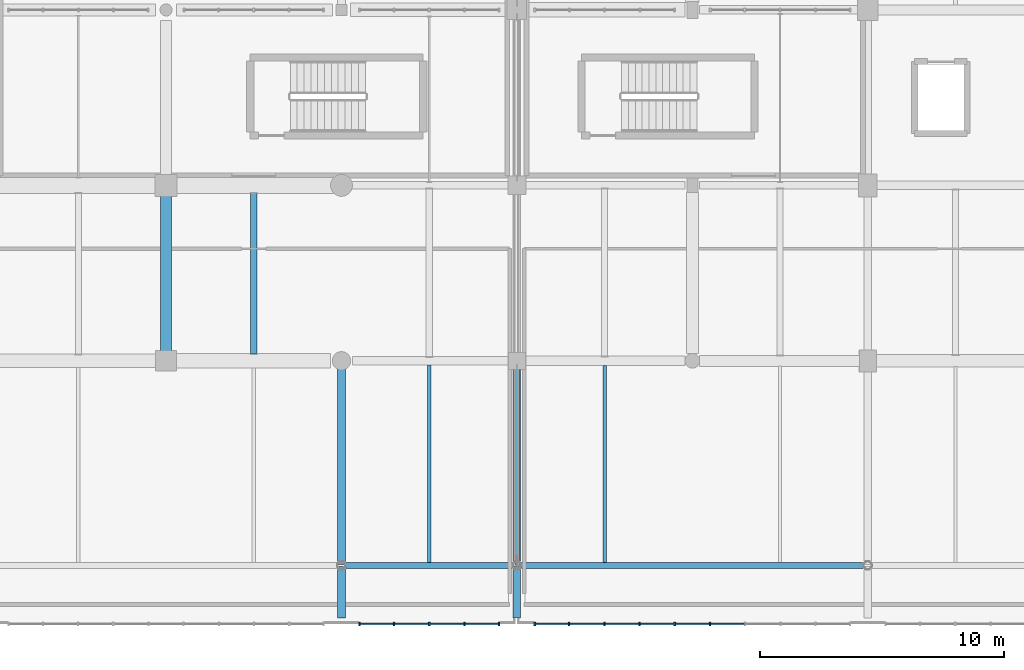
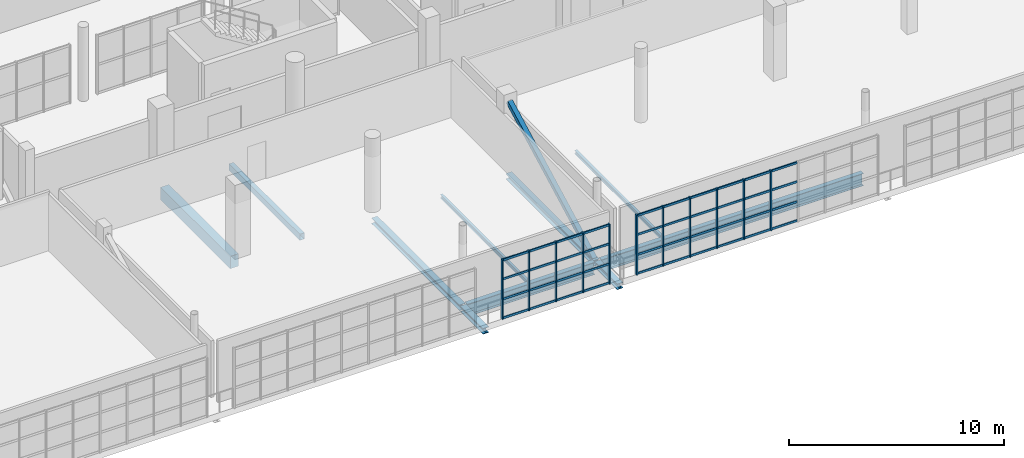
# One storey, part 29 of 90: 52 members, 10 beams, 2 elements without a shape of their own.
"""IFC4 building model written with IfcOpenShell, lengths in metres."""

from ifc_helpers import new_model, si_unit, direction, frame, origin, origin_2d, place, context, subcontext, project, spatial, rectangle, hollow_rectangle, i_section, extrude, material, material_profile, profile_set, type_object, element, aggregate, save


model = new_model("IFC4")

# Units and contexts
model_context = context("Model", 3, precision=1e-05, world=origin(), true_north=direction((0.0, 1.0)))
body_context = subcontext(model_context, "Body", "Model", "MODEL_VIEW")
ifc_project = project(units=[si_unit("LENGTHUNIT", "METRE"), si_unit("AREAUNIT", "SQUARE_METRE"), si_unit("VOLUMEUNIT", "CUBIC_METRE"), si_unit("PLANEANGLEUNIT", "RADIAN"), si_unit("MASSUNIT", "GRAM", prefix="KILO")], contexts=[model_context])

# Site, building, storey
site_placement = place(None, origin())
site = spatial("IfcSite", under=ifc_project, at=site_placement, CompositionType="ELEMENT")
building_placement = place(site_placement, origin())
building = spatial("IfcBuilding", under=site, at=building_placement, Name="Solanera Park Tramway Depot", CompositionType="ELEMENT")
storey_placement = place(building_placement, frame((0.0, 0.0, 9.0)))
storey = spatial("IfcBuildingStorey", under=building, at=storey_placement, Name="L02", CompositionType="ELEMENT", Elevation=9.0)

# Curtain wall, members
ifc_material_1 = material(Name="Bronze-anodised thermally broken aluminium curtain wall", Category="aluminium")
curtain_wall_type = type_object("IfcCurtainWallType", Name="Cantilevered OCC Inclined Glazing Wall", PredefinedType="NOTDEFINED", material=ifc_material_1)
curtain_wall_1_placement = place(storey_placement, origin())
curtain_wall_1 = element("IfcCurtainWall", 1, at=curtain_wall_1_placement, inside=storey, type_object=curtain_wall_type, Name="L02 Cantilevered OCC Inclined Glazing Wall #117", PredefinedType="NOTDEFINED")
ifc_material_2 = material(Name="Bronze-anodised structural aluminium 6063-T6", Category="aluminium")
ifc_material_profile_1 = material_profile(ifc_material_2, rectangle(XDim=0.06494140625, YDim=0.14990234375, at=origin_2d()), Name="Curtain Wall Mullion 65x150")
ifc_profile_set_1 = profile_set([ifc_material_profile_1], Name="Bronze-anodised structural aluminium 6063-T6")
member_type_1 = type_object("IfcMemberType", Name="Curtain Wall Mullion 65x150", PredefinedType="MULLION", material=ifc_profile_set_1)
member_1_placement = place(storey_placement, frame((144.732421875, 0.0, 0.0), z_axis=(0.0, 0.0, 1.0), x_axis=(1.0, 0.0, 0.0)))
member_1 = element("IfcMember", 2, at=member_1_placement, type_object=member_type_1, Name="CW-L02-117 Mullion 1", PredefinedType="MULLION", context=body_context, shape_type="SweptSolid", body=[
    extrude(rectangle(XDim=0.06494140625, YDim=0.14990234375, at=origin_2d()), origin(), (0.0, 0.0, 1.0), 3.39990234375),
])
member_2_placement = place(storey_placement, frame((146.14990234375, 0.0, 0.0), z_axis=(0.0, 0.0, 1.0), x_axis=(1.0, 0.0, 0.0)))
member_2 = element("IfcMember", 3, at=member_2_placement, type_object=member_type_1, Name="CW-L02-117 Mullion 2", PredefinedType="MULLION", context=body_context, shape_type="SweptSolid", body=[
    extrude(rectangle(XDim=0.06494140625, YDim=0.14990234375, at=origin_2d()), origin(), (0.0, 0.0, 1.0), 3.39990234375),
])
member_3_placement = place(storey_placement, frame((147.60009765625, 0.0, 0.0), z_axis=(0.0, 0.0, 1.0), x_axis=(1.0, 0.0, 0.0)))
member_3 = element("IfcMember", 4, at=member_3_placement, type_object=member_type_1, Name="CW-L02-117 Mullion 3", PredefinedType="MULLION", context=body_context, shape_type="SweptSolid", body=[
    extrude(rectangle(XDim=0.06494140625, YDim=0.14990234375, at=origin_2d()), origin(), (0.0, 0.0, 1.0), 3.39990234375),
])
member_4_placement = place(storey_placement, frame((149.050048828125, 0.0, 0.0), z_axis=(0.0, 0.0, 1.0), x_axis=(1.0, 0.0, 0.0)))
member_4 = element("IfcMember", 5, at=member_4_placement, type_object=member_type_1, Name="CW-L02-117 Mullion 4", PredefinedType="MULLION", context=body_context, shape_type="SweptSolid", body=[
    extrude(rectangle(XDim=0.06494140625, YDim=0.14990234375, at=origin_2d()), origin(), (0.0, 0.0, 1.0), 3.39990234375),
])
member_5_placement = place(storey_placement, frame((150.467529296875, 0.0, 0.0), z_axis=(0.0, 0.0, 1.0), x_axis=(1.0, 0.0, 0.0)))
member_5 = element("IfcMember", 6, at=member_5_placement, type_object=member_type_1, Name="CW-L02-117 Mullion 5", PredefinedType="MULLION", context=body_context, shape_type="SweptSolid", body=[
    extrude(rectangle(XDim=0.06494140625, YDim=0.14990234375, at=origin_2d()), origin(), (0.0, 0.0, 1.0), 3.39990234375),
])

curtain_wall_2_placement = place(storey_placement, origin())
curtain_wall_2 = element("IfcCurtainWall", 7, at=curtain_wall_2_placement, inside=storey, type_object=curtain_wall_type, Name="L02 Cantilevered OCC Inclined Glazing Wall #118", PredefinedType="NOTDEFINED")
member_6_placement = place(storey_placement, frame((151.9326171875, 0.0, 0.0), z_axis=(0.0, 0.0, 1.0), x_axis=(1.0, 0.0, 0.0)))
member_6 = element("IfcMember", 8, at=member_6_placement, type_object=member_type_1, Name="CW-L02-118 Mullion 1", PredefinedType="MULLION", context=body_context, shape_type="SweptSolid", body=[
    extrude(rectangle(XDim=0.06494140625, YDim=0.14990234375, at=origin_2d()), origin(), (0.0, 0.0, 1.0), 3.39990234375),
])
member_7_placement = place(storey_placement, frame((153.344482421875, 0.0, 0.0), z_axis=(0.0, 0.0, 1.0), x_axis=(1.0, 0.0, 0.0)))
member_7 = element("IfcMember", 9, at=member_7_placement, type_object=member_type_1, Name="CW-L02-118 Mullion 2", PredefinedType="MULLION", context=body_context, shape_type="SweptSolid", body=[
    extrude(rectangle(XDim=0.06494140625, YDim=0.14990234375, at=origin_2d()), origin(), (0.0, 0.0, 1.0), 3.39990234375),
])
member_8_placement = place(storey_placement, frame((154.788818359375, 0.0, 0.0), z_axis=(0.0, 0.0, 1.0), x_axis=(1.0, 0.0, 0.0)))
member_8 = element("IfcMember", 10, at=member_8_placement, type_object=member_type_1, Name="CW-L02-118 Mullion 3", PredefinedType="MULLION", context=body_context, shape_type="SweptSolid", body=[
    extrude(rectangle(XDim=0.06494140625, YDim=0.14990234375, at=origin_2d()), origin(), (0.0, 0.0, 1.0), 3.39990234375),
])
member_9_placement = place(storey_placement, frame((156.2333984375, 0.0, 0.0), z_axis=(0.0, 0.0, 1.0), x_axis=(1.0, 0.0, 0.0)))
member_9 = element("IfcMember", 11, at=member_9_placement, type_object=member_type_1, Name="CW-L02-118 Mullion 4", PredefinedType="MULLION", context=body_context, shape_type="SweptSolid", body=[
    extrude(rectangle(XDim=0.06494140625, YDim=0.14990234375, at=origin_2d()), origin(), (0.0, 0.0, 1.0), 3.39990234375),
])
member_10_placement = place(storey_placement, frame((157.677734375, 0.0, 0.0), z_axis=(0.0, 0.0, 1.0), x_axis=(1.0, 0.0, 0.0)))
member_10 = element("IfcMember", 12, at=member_10_placement, type_object=member_type_1, Name="CW-L02-118 Mullion 5", PredefinedType="MULLION", context=body_context, shape_type="SweptSolid", body=[
    extrude(rectangle(XDim=0.06494140625, YDim=0.14990234375, at=origin_2d()), origin(), (0.0, 0.0, 1.0), 3.39990234375),
])
member_11_placement = place(storey_placement, frame((159.122314453125, 0.0, 0.0), z_axis=(0.0, 0.0, 1.0), x_axis=(1.0, 0.0, 0.0)))
member_11 = element("IfcMember", 13, at=member_11_placement, type_object=member_type_1, Name="CW-L02-118 Mullion 6", PredefinedType="MULLION", context=body_context, shape_type="SweptSolid", body=[
    extrude(rectangle(XDim=0.06494140625, YDim=0.14990234375, at=origin_2d()), origin(), (0.0, 0.0, 1.0), 3.39990234375),
])

# Member
ifc_material_3 = material(Name="Bronze-anodised structural aluminium 6063-T6", Category="aluminium")
ifc_material_profile_2 = material_profile(ifc_material_3, rectangle(XDim=0.06494140625, YDim=0.1201171875, at=origin_2d()), Name="Curtain Wall Transom 65x120")
ifc_profile_set_2 = profile_set([ifc_material_profile_2], Name="Bronze-anodised structural aluminium 6063-T6")
member_type_2 = type_object("IfcMemberType", Name="Curtain Wall Transom 65x120", PredefinedType="USERDEFINED", material=ifc_profile_set_2)
member_12_placement = place(storey_placement, frame((144.760498046875, 0.0, 0.06005859375), z_axis=(1.0, 0.0, 0.0), x_axis=(0.0, 1.0, 0.0)))
member_12 = element("IfcMember", 14, at=member_12_placement, type_object=member_type_2, Name="CW-L02-117 Transom R1.C1", ObjectType="TRANSOM", PredefinedType="USERDEFINED", context=body_context, shape_type="SweptSolid", body=[
    extrude(rectangle(XDim=0.06494140625, YDim=0.1201171875, at=origin_2d()), origin(), (0.0, 0.0, 1.0), 1.361572265625),
])

member_13_placement = place(storey_placement, frame((146.177978515625, 0.0, 0.06005859375), z_axis=(1.0, 0.0, 0.0), x_axis=(0.0, 1.0, 0.0)))
member_13 = element("IfcMember", 15, at=member_13_placement, type_object=member_type_2, Name="CW-L02-117 Transom R1.C2", ObjectType="TRANSOM", PredefinedType="USERDEFINED", context=body_context, shape_type="SweptSolid", body=[
    extrude(rectangle(XDim=0.06494140625, YDim=0.1201171875, at=origin_2d()), origin(), (0.0, 0.0, 1.0), 1.39404296875),
])

member_14_placement = place(storey_placement, frame((147.6279296875, 0.0, 0.06005859375), z_axis=(1.0, 0.0, 0.0), x_axis=(0.0, 1.0, 0.0)))
member_14 = element("IfcMember", 16, at=member_14_placement, type_object=member_type_2, Name="CW-L02-117 Transom R1.C3", ObjectType="TRANSOM", PredefinedType="USERDEFINED", context=body_context, shape_type="SweptSolid", body=[
    extrude(rectangle(XDim=0.06494140625, YDim=0.1201171875, at=origin_2d()), origin(), (0.0, 0.0, 1.0), 1.39404296875),
])

member_15_placement = place(storey_placement, frame((149.077880859375, 0.0, 0.06005859375), z_axis=(1.0, 0.0, 0.0), x_axis=(0.0, 1.0, 0.0)))
member_15 = element("IfcMember", 17, at=member_15_placement, type_object=member_type_2, Name="CW-L02-117 Transom R1.C4", ObjectType="TRANSOM", PredefinedType="USERDEFINED", context=body_context, shape_type="SweptSolid", body=[
    extrude(rectangle(XDim=0.06494140625, YDim=0.1201171875, at=origin_2d()), origin(), (0.0, 0.0, 1.0), 1.361572265625),
])

member_16_placement = place(storey_placement, frame((144.760498046875, 0.0, 1.13330078125), z_axis=(1.0, 0.0, 0.0), x_axis=(0.0, 1.0, 0.0)))
member_16 = element("IfcMember", 18, at=member_16_placement, type_object=member_type_2, Name="CW-L02-117 Transom R2.C1", ObjectType="TRANSOM", PredefinedType="USERDEFINED", context=body_context, shape_type="SweptSolid", body=[
    extrude(rectangle(XDim=0.06494140625, YDim=0.1201171875, at=origin_2d()), origin(), (0.0, 0.0, 1.0), 1.361572265625),
])

member_17_placement = place(storey_placement, frame((146.177978515625, 0.0, 1.13330078125), z_axis=(1.0, 0.0, 0.0), x_axis=(0.0, 1.0, 0.0)))
member_17 = element("IfcMember", 19, at=member_17_placement, type_object=member_type_2, Name="CW-L02-117 Transom R2.C2", ObjectType="TRANSOM", PredefinedType="USERDEFINED", context=body_context, shape_type="SweptSolid", body=[
    extrude(rectangle(XDim=0.06494140625, YDim=0.1201171875, at=origin_2d()), origin(), (0.0, 0.0, 1.0), 1.39404296875),
])

member_18_placement = place(storey_placement, frame((147.6279296875, 0.0, 1.13330078125), z_axis=(1.0, 0.0, 0.0), x_axis=(0.0, 1.0, 0.0)))
member_18 = element("IfcMember", 20, at=member_18_placement, type_object=member_type_2, Name="CW-L02-117 Transom R2.C3", ObjectType="TRANSOM", PredefinedType="USERDEFINED", context=body_context, shape_type="SweptSolid", body=[
    extrude(rectangle(XDim=0.06494140625, YDim=0.1201171875, at=origin_2d()), origin(), (0.0, 0.0, 1.0), 1.39404296875),
])

member_19_placement = place(storey_placement, frame((149.077880859375, 0.0, 1.13330078125), z_axis=(1.0, 0.0, 0.0), x_axis=(0.0, 1.0, 0.0)))
member_19 = element("IfcMember", 21, at=member_19_placement, type_object=member_type_2, Name="CW-L02-117 Transom R2.C4", ObjectType="TRANSOM", PredefinedType="USERDEFINED", context=body_context, shape_type="SweptSolid", body=[
    extrude(rectangle(XDim=0.06494140625, YDim=0.1201171875, at=origin_2d()), origin(), (0.0, 0.0, 1.0), 1.361572265625),
])

member_20_placement = place(storey_placement, frame((144.760498046875, 0.0, 2.2666015625), z_axis=(1.0, 0.0, 0.0), x_axis=(0.0, 1.0, 0.0)))
member_20 = element("IfcMember", 22, at=member_20_placement, type_object=member_type_2, Name="CW-L02-117 Transom R3.C1", ObjectType="TRANSOM", PredefinedType="USERDEFINED", context=body_context, shape_type="SweptSolid", body=[
    extrude(rectangle(XDim=0.06494140625, YDim=0.1201171875, at=origin_2d()), origin(), (0.0, 0.0, 1.0), 1.361572265625),
])

member_21_placement = place(storey_placement, frame((146.177978515625, 0.0, 2.2666015625), z_axis=(1.0, 0.0, 0.0), x_axis=(0.0, 1.0, 0.0)))
member_21 = element("IfcMember", 23, at=member_21_placement, type_object=member_type_2, Name="CW-L02-117 Transom R3.C2", ObjectType="TRANSOM", PredefinedType="USERDEFINED", context=body_context, shape_type="SweptSolid", body=[
    extrude(rectangle(XDim=0.06494140625, YDim=0.1201171875, at=origin_2d()), origin(), (0.0, 0.0, 1.0), 1.39404296875),
])

member_22_placement = place(storey_placement, frame((147.6279296875, 0.0, 2.2666015625), z_axis=(1.0, 0.0, 0.0), x_axis=(0.0, 1.0, 0.0)))
member_22 = element("IfcMember", 24, at=member_22_placement, type_object=member_type_2, Name="CW-L02-117 Transom R3.C3", ObjectType="TRANSOM", PredefinedType="USERDEFINED", context=body_context, shape_type="SweptSolid", body=[
    extrude(rectangle(XDim=0.06494140625, YDim=0.1201171875, at=origin_2d()), origin(), (0.0, 0.0, 1.0), 1.39404296875),
])

member_23_placement = place(storey_placement, frame((149.077880859375, 0.0, 2.2666015625), z_axis=(1.0, 0.0, 0.0), x_axis=(0.0, 1.0, 0.0)))
member_23 = element("IfcMember", 25, at=member_23_placement, type_object=member_type_2, Name="CW-L02-117 Transom R3.C4", ObjectType="TRANSOM", PredefinedType="USERDEFINED", context=body_context, shape_type="SweptSolid", body=[
    extrude(rectangle(XDim=0.06494140625, YDim=0.1201171875, at=origin_2d()), origin(), (0.0, 0.0, 1.0), 1.361572265625),
])

member_24_placement = place(storey_placement, frame((144.760498046875, 0.0, 3.340087890625), z_axis=(1.0, 0.0, 0.0), x_axis=(0.0, 1.0, 0.0)))
member_24 = element("IfcMember", 26, at=member_24_placement, type_object=member_type_2, Name="CW-L02-117 Transom R4.C1", ObjectType="TRANSOM", PredefinedType="USERDEFINED", context=body_context, shape_type="SweptSolid", body=[
    extrude(rectangle(XDim=0.06494140625, YDim=0.1201171875, at=origin_2d()), origin(), (0.0, 0.0, 1.0), 1.361572265625),
])

member_25_placement = place(storey_placement, frame((146.177978515625, 0.0, 3.340087890625), z_axis=(1.0, 0.0, 0.0), x_axis=(0.0, 1.0, 0.0)))
member_25 = element("IfcMember", 27, at=member_25_placement, type_object=member_type_2, Name="CW-L02-117 Transom R4.C2", ObjectType="TRANSOM", PredefinedType="USERDEFINED", context=body_context, shape_type="SweptSolid", body=[
    extrude(rectangle(XDim=0.06494140625, YDim=0.1201171875, at=origin_2d()), origin(), (0.0, 0.0, 1.0), 1.39404296875),
])

member_26_placement = place(storey_placement, frame((147.6279296875, 0.0, 3.340087890625), z_axis=(1.0, 0.0, 0.0), x_axis=(0.0, 1.0, 0.0)))
member_26 = element("IfcMember", 28, at=member_26_placement, type_object=member_type_2, Name="CW-L02-117 Transom R4.C3", ObjectType="TRANSOM", PredefinedType="USERDEFINED", context=body_context, shape_type="SweptSolid", body=[
    extrude(rectangle(XDim=0.06494140625, YDim=0.1201171875, at=origin_2d()), origin(), (0.0, 0.0, 1.0), 1.39404296875),
])

member_27_placement = place(storey_placement, frame((149.077880859375, 0.0, 3.340087890625), z_axis=(1.0, 0.0, 0.0), x_axis=(0.0, 1.0, 0.0)))
member_27 = element("IfcMember", 29, at=member_27_placement, type_object=member_type_2, Name="CW-L02-117 Transom R4.C4", ObjectType="TRANSOM", PredefinedType="USERDEFINED", context=body_context, shape_type="SweptSolid", body=[
    extrude(rectangle(XDim=0.06494140625, YDim=0.1201171875, at=origin_2d()), origin(), (0.0, 0.0, 1.0), 1.361572265625),
])

aggregate(curtain_wall_1, [member_1, member_2, member_3, member_4, member_5, member_12, member_13, member_14, member_15, member_16, member_17, member_18, member_19, member_20, member_21, member_22, member_23, member_24, member_25, member_26, member_27])

member_28_placement = place(storey_placement, frame((151.96044921875, 0.0, 0.06005859375), z_axis=(1.0, 0.0, 0.0), x_axis=(0.0, 1.0, 0.0)))
member_28 = element("IfcMember", 30, at=member_28_placement, type_object=member_type_2, Name="CW-L02-118 Transom R1.C1", ObjectType="TRANSOM", PredefinedType="USERDEFINED", context=body_context, shape_type="SweptSolid", body=[
    extrude(rectangle(XDim=0.06494140625, YDim=0.1201171875, at=origin_2d()), origin(), (0.0, 0.0, 1.0), 1.35595703125),
])

member_29_placement = place(storey_placement, frame((153.372314453125, 0.0, 0.06005859375), z_axis=(1.0, 0.0, 0.0), x_axis=(0.0, 1.0, 0.0)))
member_29 = element("IfcMember", 31, at=member_29_placement, type_object=member_type_2, Name="CW-L02-118 Transom R1.C2", ObjectType="TRANSOM", PredefinedType="USERDEFINED", context=body_context, shape_type="SweptSolid", body=[
    extrude(rectangle(XDim=0.06494140625, YDim=0.1201171875, at=origin_2d()), origin(), (0.0, 0.0, 1.0), 1.388671875),
])

member_30_placement = place(storey_placement, frame((154.81689453125, 0.0, 0.06005859375), z_axis=(1.0, 0.0, 0.0), x_axis=(0.0, 1.0, 0.0)))
member_30 = element("IfcMember", 32, at=member_30_placement, type_object=member_type_2, Name="CW-L02-118 Transom R1.C3", ObjectType="TRANSOM", PredefinedType="USERDEFINED", context=body_context, shape_type="SweptSolid", body=[
    extrude(rectangle(XDim=0.06494140625, YDim=0.1201171875, at=origin_2d()), origin(), (0.0, 0.0, 1.0), 1.388427734375),
])

member_31_placement = place(storey_placement, frame((156.26123046875, 0.0, 0.06005859375), z_axis=(1.0, 0.0, 0.0), x_axis=(0.0, 1.0, 0.0)))
member_31 = element("IfcMember", 33, at=member_31_placement, type_object=member_type_2, Name="CW-L02-118 Transom R1.C4", ObjectType="TRANSOM", PredefinedType="USERDEFINED", context=body_context, shape_type="SweptSolid", body=[
    extrude(rectangle(XDim=0.06494140625, YDim=0.1201171875, at=origin_2d()), origin(), (0.0, 0.0, 1.0), 1.388671875),
])

member_32_placement = place(storey_placement, frame((157.705810546875, 0.0, 0.06005859375), z_axis=(1.0, 0.0, 0.0), x_axis=(0.0, 1.0, 0.0)))
member_32 = element("IfcMember", 34, at=member_32_placement, type_object=member_type_2, Name="CW-L02-118 Transom R1.C5", ObjectType="TRANSOM", PredefinedType="USERDEFINED", context=body_context, shape_type="SweptSolid", body=[
    extrude(rectangle(XDim=0.06494140625, YDim=0.1201171875, at=origin_2d()), origin(), (0.0, 0.0, 1.0), 1.388427734375),
])

member_33_placement = place(storey_placement, frame((159.150146484375, 0.0, 0.06005859375), z_axis=(1.0, 0.0, 0.0), x_axis=(0.0, 1.0, 0.0)))
member_33 = element("IfcMember", 35, at=member_33_placement, type_object=member_type_2, Name="CW-L02-118 Transom R1.C6", ObjectType="TRANSOM", PredefinedType="USERDEFINED", context=body_context, shape_type="SweptSolid", body=[
    extrude(rectangle(XDim=0.06494140625, YDim=0.1201171875, at=origin_2d()), origin(), (0.0, 0.0, 1.0), 1.388671875),
])

member_34_placement = place(storey_placement, frame((151.96044921875, 0.0, 1.13330078125), z_axis=(1.0, 0.0, 0.0), x_axis=(0.0, 1.0, 0.0)))
member_34 = element("IfcMember", 36, at=member_34_placement, type_object=member_type_2, Name="CW-L02-118 Transom R2.C1", ObjectType="TRANSOM", PredefinedType="USERDEFINED", context=body_context, shape_type="SweptSolid", body=[
    extrude(rectangle(XDim=0.06494140625, YDim=0.1201171875, at=origin_2d()), origin(), (0.0, 0.0, 1.0), 1.35595703125),
])

member_35_placement = place(storey_placement, frame((153.372314453125, 0.0, 1.13330078125), z_axis=(1.0, 0.0, 0.0), x_axis=(0.0, 1.0, 0.0)))
member_35 = element("IfcMember", 37, at=member_35_placement, type_object=member_type_2, Name="CW-L02-118 Transom R2.C2", ObjectType="TRANSOM", PredefinedType="USERDEFINED", context=body_context, shape_type="SweptSolid", body=[
    extrude(rectangle(XDim=0.06494140625, YDim=0.1201171875, at=origin_2d()), origin(), (0.0, 0.0, 1.0), 1.388671875),
])

member_36_placement = place(storey_placement, frame((154.81689453125, 0.0, 1.13330078125), z_axis=(1.0, 0.0, 0.0), x_axis=(0.0, 1.0, 0.0)))
member_36 = element("IfcMember", 38, at=member_36_placement, type_object=member_type_2, Name="CW-L02-118 Transom R2.C3", ObjectType="TRANSOM", PredefinedType="USERDEFINED", context=body_context, shape_type="SweptSolid", body=[
    extrude(rectangle(XDim=0.06494140625, YDim=0.1201171875, at=origin_2d()), origin(), (0.0, 0.0, 1.0), 1.388427734375),
])

member_37_placement = place(storey_placement, frame((156.26123046875, 0.0, 1.13330078125), z_axis=(1.0, 0.0, 0.0), x_axis=(0.0, 1.0, 0.0)))
member_37 = element("IfcMember", 39, at=member_37_placement, type_object=member_type_2, Name="CW-L02-118 Transom R2.C4", ObjectType="TRANSOM", PredefinedType="USERDEFINED", context=body_context, shape_type="SweptSolid", body=[
    extrude(rectangle(XDim=0.06494140625, YDim=0.1201171875, at=origin_2d()), origin(), (0.0, 0.0, 1.0), 1.388671875),
])

member_38_placement = place(storey_placement, frame((157.705810546875, 0.0, 1.13330078125), z_axis=(1.0, 0.0, 0.0), x_axis=(0.0, 1.0, 0.0)))
member_38 = element("IfcMember", 40, at=member_38_placement, type_object=member_type_2, Name="CW-L02-118 Transom R2.C5", ObjectType="TRANSOM", PredefinedType="USERDEFINED", context=body_context, shape_type="SweptSolid", body=[
    extrude(rectangle(XDim=0.06494140625, YDim=0.1201171875, at=origin_2d()), origin(), (0.0, 0.0, 1.0), 1.388427734375),
])

member_39_placement = place(storey_placement, frame((159.150146484375, 0.0, 1.13330078125), z_axis=(1.0, 0.0, 0.0), x_axis=(0.0, 1.0, 0.0)))
member_39 = element("IfcMember", 41, at=member_39_placement, type_object=member_type_2, Name="CW-L02-118 Transom R2.C6", ObjectType="TRANSOM", PredefinedType="USERDEFINED", context=body_context, shape_type="SweptSolid", body=[
    extrude(rectangle(XDim=0.06494140625, YDim=0.1201171875, at=origin_2d()), origin(), (0.0, 0.0, 1.0), 1.388671875),
])

member_40_placement = place(storey_placement, frame((151.96044921875, 0.0, 2.2666015625), z_axis=(1.0, 0.0, 0.0), x_axis=(0.0, 1.0, 0.0)))
member_40 = element("IfcMember", 42, at=member_40_placement, type_object=member_type_2, Name="CW-L02-118 Transom R3.C1", ObjectType="TRANSOM", PredefinedType="USERDEFINED", context=body_context, shape_type="SweptSolid", body=[
    extrude(rectangle(XDim=0.06494140625, YDim=0.1201171875, at=origin_2d()), origin(), (0.0, 0.0, 1.0), 1.35595703125),
])

member_41_placement = place(storey_placement, frame((153.372314453125, 0.0, 2.2666015625), z_axis=(1.0, 0.0, 0.0), x_axis=(0.0, 1.0, 0.0)))
member_41 = element("IfcMember", 43, at=member_41_placement, type_object=member_type_2, Name="CW-L02-118 Transom R3.C2", ObjectType="TRANSOM", PredefinedType="USERDEFINED", context=body_context, shape_type="SweptSolid", body=[
    extrude(rectangle(XDim=0.06494140625, YDim=0.1201171875, at=origin_2d()), origin(), (0.0, 0.0, 1.0), 1.388671875),
])

member_42_placement = place(storey_placement, frame((154.81689453125, 0.0, 2.2666015625), z_axis=(1.0, 0.0, 0.0), x_axis=(0.0, 1.0, 0.0)))
member_42 = element("IfcMember", 44, at=member_42_placement, type_object=member_type_2, Name="CW-L02-118 Transom R3.C3", ObjectType="TRANSOM", PredefinedType="USERDEFINED", context=body_context, shape_type="SweptSolid", body=[
    extrude(rectangle(XDim=0.06494140625, YDim=0.1201171875, at=origin_2d()), origin(), (0.0, 0.0, 1.0), 1.388427734375),
])

member_43_placement = place(storey_placement, frame((156.26123046875, 0.0, 2.2666015625), z_axis=(1.0, 0.0, 0.0), x_axis=(0.0, 1.0, 0.0)))
member_43 = element("IfcMember", 45, at=member_43_placement, type_object=member_type_2, Name="CW-L02-118 Transom R3.C4", ObjectType="TRANSOM", PredefinedType="USERDEFINED", context=body_context, shape_type="SweptSolid", body=[
    extrude(rectangle(XDim=0.06494140625, YDim=0.1201171875, at=origin_2d()), origin(), (0.0, 0.0, 1.0), 1.388671875),
])

member_44_placement = place(storey_placement, frame((157.705810546875, 0.0, 2.2666015625), z_axis=(1.0, 0.0, 0.0), x_axis=(0.0, 1.0, 0.0)))
member_44 = element("IfcMember", 46, at=member_44_placement, type_object=member_type_2, Name="CW-L02-118 Transom R3.C5", ObjectType="TRANSOM", PredefinedType="USERDEFINED", context=body_context, shape_type="SweptSolid", body=[
    extrude(rectangle(XDim=0.06494140625, YDim=0.1201171875, at=origin_2d()), origin(), (0.0, 0.0, 1.0), 1.388427734375),
])

member_45_placement = place(storey_placement, frame((159.150146484375, 0.0, 2.2666015625), z_axis=(1.0, 0.0, 0.0), x_axis=(0.0, 1.0, 0.0)))
member_45 = element("IfcMember", 47, at=member_45_placement, type_object=member_type_2, Name="CW-L02-118 Transom R3.C6", ObjectType="TRANSOM", PredefinedType="USERDEFINED", context=body_context, shape_type="SweptSolid", body=[
    extrude(rectangle(XDim=0.06494140625, YDim=0.1201171875, at=origin_2d()), origin(), (0.0, 0.0, 1.0), 1.388671875),
])

member_46_placement = place(storey_placement, frame((151.96044921875, 0.0, 3.340087890625), z_axis=(1.0, 0.0, 0.0), x_axis=(0.0, 1.0, 0.0)))
member_46 = element("IfcMember", 48, at=member_46_placement, type_object=member_type_2, Name="CW-L02-118 Transom R4.C1", ObjectType="TRANSOM", PredefinedType="USERDEFINED", context=body_context, shape_type="SweptSolid", body=[
    extrude(rectangle(XDim=0.06494140625, YDim=0.1201171875, at=origin_2d()), origin(), (0.0, 0.0, 1.0), 1.35595703125),
])

member_47_placement = place(storey_placement, frame((153.372314453125, 0.0, 3.340087890625), z_axis=(1.0, 0.0, 0.0), x_axis=(0.0, 1.0, 0.0)))
member_47 = element("IfcMember", 49, at=member_47_placement, type_object=member_type_2, Name="CW-L02-118 Transom R4.C2", ObjectType="TRANSOM", PredefinedType="USERDEFINED", context=body_context, shape_type="SweptSolid", body=[
    extrude(rectangle(XDim=0.06494140625, YDim=0.1201171875, at=origin_2d()), origin(), (0.0, 0.0, 1.0), 1.388671875),
])

member_48_placement = place(storey_placement, frame((154.81689453125, 0.0, 3.340087890625), z_axis=(1.0, 0.0, 0.0), x_axis=(0.0, 1.0, 0.0)))
member_48 = element("IfcMember", 50, at=member_48_placement, type_object=member_type_2, Name="CW-L02-118 Transom R4.C3", ObjectType="TRANSOM", PredefinedType="USERDEFINED", context=body_context, shape_type="SweptSolid", body=[
    extrude(rectangle(XDim=0.06494140625, YDim=0.1201171875, at=origin_2d()), origin(), (0.0, 0.0, 1.0), 1.388427734375),
])

member_49_placement = place(storey_placement, frame((156.26123046875, 0.0, 3.340087890625), z_axis=(1.0, 0.0, 0.0), x_axis=(0.0, 1.0, 0.0)))
member_49 = element("IfcMember", 51, at=member_49_placement, type_object=member_type_2, Name="CW-L02-118 Transom R4.C4", ObjectType="TRANSOM", PredefinedType="USERDEFINED", context=body_context, shape_type="SweptSolid", body=[
    extrude(rectangle(XDim=0.06494140625, YDim=0.1201171875, at=origin_2d()), origin(), (0.0, 0.0, 1.0), 1.388671875),
])

member_50_placement = place(storey_placement, frame((157.705810546875, 0.0, 3.340087890625), z_axis=(1.0, 0.0, 0.0), x_axis=(0.0, 1.0, 0.0)))
member_50 = element("IfcMember", 52, at=member_50_placement, type_object=member_type_2, Name="CW-L02-118 Transom R4.C5", ObjectType="TRANSOM", PredefinedType="USERDEFINED", context=body_context, shape_type="SweptSolid", body=[
    extrude(rectangle(XDim=0.06494140625, YDim=0.1201171875, at=origin_2d()), origin(), (0.0, 0.0, 1.0), 1.388427734375),
])

member_51_placement = place(storey_placement, frame((159.150146484375, 0.0, 3.340087890625), z_axis=(1.0, 0.0, 0.0), x_axis=(0.0, 1.0, 0.0)))
member_51 = element("IfcMember", 53, at=member_51_placement, type_object=member_type_2, Name="CW-L02-118 Transom R4.C6", ObjectType="TRANSOM", PredefinedType="USERDEFINED", context=body_context, shape_type="SweptSolid", body=[
    extrude(rectangle(XDim=0.06494140625, YDim=0.1201171875, at=origin_2d()), origin(), (0.0, 0.0, 1.0), 1.388671875),
])

aggregate(curtain_wall_2, [member_6, member_7, member_8, member_9, member_10, member_11, member_28, member_29, member_30, member_31, member_32, member_33, member_34, member_35, member_36, member_37, member_38, member_39, member_40, member_41, member_42, member_43, member_44, member_45, member_46, member_47, member_48, member_49, member_50, member_51])

# Beams
ifc_material_4 = material(Name="Concrete N40 (C40/50)", Category="concrete")
ifc_material_profile_3 = material_profile(ifc_material_4, rectangle(XDim=0.449951171875, YDim=0.699951171875, at=origin_2d()), Name="RCB 450x700")
ifc_profile_set_3 = profile_set([ifc_material_profile_3], Name="Concrete N40 (C40/50)")
beam_type_1 = type_object("IfcBeamType", Name="RC Floor Beam RCB 450x700", PredefinedType="BEAM", material=ifc_profile_set_3)
beam_1_placement = place(storey_placement, frame((136.800048828125, 11.14990234375, -0.714111328125), z_axis=(0.0, 1.0, 0.0), x_axis=(-1.0, 0.0, 0.0)))
element("IfcBeam", 54, at=beam_1_placement, inside=storey, type_object=beam_type_1, Name="L02 Primary Y-Girder RCB 450x700 #0147", PredefinedType="BEAM", context=body_context, shape_type="SweptSolid", body=[
    extrude(rectangle(XDim=0.449951171875, YDim=0.699951171875, at=origin_2d()), origin(), (0.0, 0.0, 1.0), 6.47509765625),
])
ifc_material_5 = material(Name="Steel AS/NZS 3679.1 Grade 350", Category="steel")
ifc_material_profile_4 = material_profile(ifc_material_5, i_section(OverallWidth=0.310546875, OverallDepth=0.3271484375, WebThickness=0.015625, FlangeThickness=0.02490234375, at=origin_2d()), Name="310UC158")
ifc_profile_set_4 = profile_set([ifc_material_profile_4], Name="Steel AS/NZS 3679.1 Grade 350")
beam_type_2 = type_object("IfcBeamType", Name="Steel Beam 310UC158", PredefinedType="BEAM", material=ifc_profile_set_4)
beam_2_placement = place(storey_placement, frame((144.0, 0.25, -0.550048828125), z_axis=(0.0, 1.0, 0.0), x_axis=(-1.0, 0.0, 0.0)))
element("IfcBeam", 55, at=beam_2_placement, inside=storey, type_object=beam_type_2, Name="L02 Transfer Truss Nose Cantilever 310UC158 #0316", PredefinedType="BEAM", context=body_context, shape_type="SweptSolid", body=[
    extrude(i_section(OverallWidth=0.310546875, OverallDepth=0.3271484375, WebThickness=0.015625, FlangeThickness=0.02490234375, at=origin_2d()), origin(), (0.0, 0.0, 1.0), 2.110107421875),
])
beam_3_placement = place(storey_placement, frame((144.0, 2.43994140625, -0.550048828125), z_axis=(0.0, 1.0, 0.0), x_axis=(-1.0, 0.0, 0.0)))
element("IfcBeam", 56, at=beam_3_placement, inside=storey, type_object=beam_type_2, Name="L02 Transfer Truss Overhang Chord 310UC158 #0317", PredefinedType="BEAM", context=body_context, shape_type="SweptSolid", body=[
    extrude(i_section(OverallWidth=0.310546875, OverallDepth=0.3271484375, WebThickness=0.015625, FlangeThickness=0.02490234375, at=origin_2d()), origin(), (0.0, 0.0, 1.0), 8.16015625),
])
beam_4_placement = place(storey_placement, frame((151.199951171875, 0.25, -0.550048828125), z_axis=(0.0, 1.0, 0.0), x_axis=(-1.0, 0.0, 0.0)))
element("IfcBeam", 57, at=beam_4_placement, inside=storey, type_object=beam_type_2, Name="L02 Transfer Truss Nose Cantilever 310UC158 #0322", PredefinedType="BEAM", context=body_context, shape_type="SweptSolid", body=[
    extrude(i_section(OverallWidth=0.310546875, OverallDepth=0.3271484375, WebThickness=0.015625, FlangeThickness=0.02490234375, at=origin_2d()), origin(), (0.0, 0.0, 1.0), 2.110107421875),
])
beam_5_placement = place(storey_placement, frame((151.199951171875, 2.43994140625, -0.550048828125), z_axis=(0.0, 1.0, 0.0), x_axis=(-1.0, 0.0, 0.0)))
element("IfcBeam", 58, at=beam_5_placement, inside=storey, type_object=beam_type_2, Name="L02 Transfer Truss Overhang Chord 310UC158 #0323", PredefinedType="BEAM", context=body_context, shape_type="SweptSolid", body=[
    extrude(i_section(OverallWidth=0.310546875, OverallDepth=0.3271484375, WebThickness=0.015625, FlangeThickness=0.02490234375, at=origin_2d()), origin(), (0.0, 0.0, 1.0), 8.16015625),
])
ifc_material_6 = material(Name="Steel AS/NZS 3679.1 Grade 350", Category="steel")
ifc_material_profile_5 = material_profile(ifc_material_6, i_section(OverallWidth=0.25, OverallDepth=0.699951171875, WebThickness=0.010009765625, FlangeThickness=0.02001953125, at=origin_2d()), Name="700WB130")
ifc_profile_set_5 = profile_set([ifc_material_profile_5], Name="Steel AS/NZS 3679.1 Grade 350")
beam_type_3 = type_object("IfcBeamType", Name="Steel Beam 700WB130", PredefinedType="BEAM", material=ifc_profile_set_5)
beam_6_placement = place(storey_placement, frame((144.179931640625, 2.39990234375, -0.715087890625), z_axis=(1.0, 0.0, 0.0), x_axis=(0.0, 1.0, 0.0)))
element("IfcBeam", 59, at=beam_6_placement, inside=storey, type_object=beam_type_3, Name="L02 Head-Block Transfer Tie Girder 700WB130 #0359", PredefinedType="BEAM", context=body_context, shape_type="SweptSolid", body=[
    extrude(i_section(OverallWidth=0.25, OverallDepth=0.699951171875, WebThickness=0.010009765625, FlangeThickness=0.02001953125, at=origin_2d()), origin(), (0.0, 0.0, 1.0), 6.840087890625),
])
beam_7_placement = place(storey_placement, frame((151.3798828125, 2.39990234375, -0.715087890625), z_axis=(1.0, 0.0, 0.0), x_axis=(0.0, 1.0, 0.0)))
element("IfcBeam", 60, at=beam_7_placement, inside=storey, type_object=beam_type_3, Name="L02 Head-Block Transfer Tie Girder 700WB130 #0361", PredefinedType="BEAM", context=body_context, shape_type="SweptSolid", body=[
    extrude(i_section(OverallWidth=0.25, OverallDepth=0.699951171875, WebThickness=0.010009765625, FlangeThickness=0.02001953125, at=origin_2d()), origin(), (0.0, 0.0, 1.0), 14.0400390625),
])
ifc_material_7 = material(Name="Steel AS/NZS 3679.1 Grade 350", Category="steel")
ifc_material_profile_6 = material_profile(ifc_material_7, i_section(OverallWidth=0.13330078125, OverallDepth=0.203125, WebThickness=0.005859375, FlangeThickness=0.0078125, at=origin_2d()), Name="200UB25.4")
ifc_profile_set_6 = profile_set([ifc_material_profile_6], Name="Steel AS/NZS 3679.1 Grade 350")
beam_type_4 = type_object("IfcBeamType", Name="Steel Joist Purlin 200UB25.4", PredefinedType="JOIST", material=ifc_profile_set_6)
beam_8_placement = place(storey_placement, frame((147.60009765625, 2.51708984375, -0.465576171875), z_axis=(0.0, 1.0, 0.0), x_axis=(-1.0, 0.0, 0.0)))
element("IfcBeam", 61, at=beam_8_placement, inside=storey, type_object=beam_type_4, Name="L02 Secondary Floor Joist 200UB25.4 #0165", PredefinedType="JOIST", context=body_context, shape_type="SweptSolid", body=[
    extrude(i_section(OverallWidth=0.13330078125, OverallDepth=0.203125, WebThickness=0.005859375, FlangeThickness=0.0078125, at=origin_2d()), origin(), (0.0, 0.0, 1.0), 8.115966796875),
])
beam_9_placement = place(storey_placement, frame((154.800048828125, 2.51708984375, -0.465576171875), z_axis=(0.0, 1.0, 0.0), x_axis=(-1.0, 0.0, 0.0)))
element("IfcBeam", 62, at=beam_9_placement, inside=storey, type_object=beam_type_4, Name="L02 Secondary Floor Joist 200UB25.4 #0166", PredefinedType="JOIST", context=body_context, shape_type="SweptSolid", body=[
    extrude(i_section(OverallWidth=0.13330078125, OverallDepth=0.203125, WebThickness=0.005859375, FlangeThickness=0.0078125, at=origin_2d()), origin(), (0.0, 0.0, 1.0), 8.0908203125),
])
ifc_material_8 = material(Name="Steel AS/NZS 1163 Grade C350L0", Category="steel")
ifc_material_profile_7 = material_profile(ifc_material_8, hollow_rectangle(XDim=0.25, YDim=0.35009765625, WallThickness=0.010009765625, at=origin_2d()), Name="350x250x10.0 RHS")
ifc_profile_set_7 = profile_set([ifc_material_profile_7], Name="Steel AS/NZS 1163 Grade C350L0")
beam_type_5 = type_object("IfcBeamType", Name="Steel Joist Purlin 350x250x10.0 RHS", PredefinedType="JOIST", material=ifc_profile_set_7)
beam_10_placement = place(storey_placement, frame((140.39990234375, 11.092041015625, -0.5390625), z_axis=(0.0, 1.0, 0.0), x_axis=(-1.0, 0.0, 0.0)))
element("IfcBeam", 63, at=beam_10_placement, inside=storey, type_object=beam_type_5, Name="L02 Secondary Floor Joist 350x250x10.0 RHS #0175", PredefinedType="JOIST", context=body_context, shape_type="SweptSolid", body=[
    extrude(hollow_rectangle(XDim=0.25, YDim=0.35009765625, WallThickness=0.010009765625, at=origin_2d()), origin(), (0.0, 0.0, 1.0), 6.591064453125),
])

# Member
ifc_material_9 = material(Name="Steel AS/NZS 1163 Grade C350L0", Category="steel")
ifc_material_profile_8 = material_profile(ifc_material_9, hollow_rectangle(XDim=0.25, YDim=0.25, WallThickness=0.010009765625, at=origin_2d()), Name="250x250x10.0 SHS")
ifc_profile_set_8 = profile_set([ifc_material_profile_8], Name="Steel AS/NZS 1163 Grade C350L0")
member_type_3 = type_object("IfcMemberType", Name="Truss and Frame Brace 250x250x10.0 SHS", PredefinedType="BRACE", material=ifc_profile_set_8)
member_52_placement = place(storey_placement, frame((151.199951171875, 2.550048828125, -0.550048828125), z_axis=(0.0, 0.884030603602, 0.467429023377), x_axis=(-1.0, 0.0, 0.0)))
element("IfcMember", 64, at=member_52_placement, inside=storey, type_object=member_type_3, Name="Pratt Transfer Truss Web Diagonal #0004", PredefinedType="BRACE", context=body_context, shape_type="SweptSolid", body=[
    extrude(hollow_rectangle(XDim=0.25, YDim=0.25, WallThickness=0.010009765625, at=origin_2d()), origin(), (0.0, 0.0, 1.0), 9.049560546875),
])

save(model, "model.ifc")
